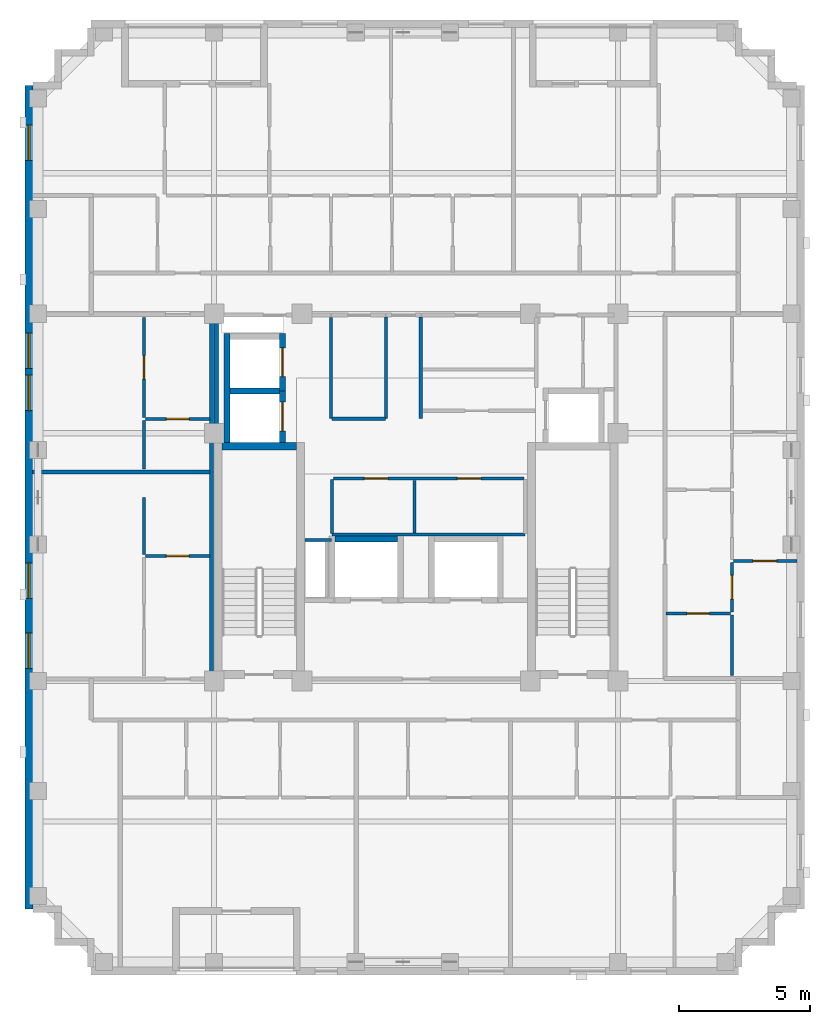
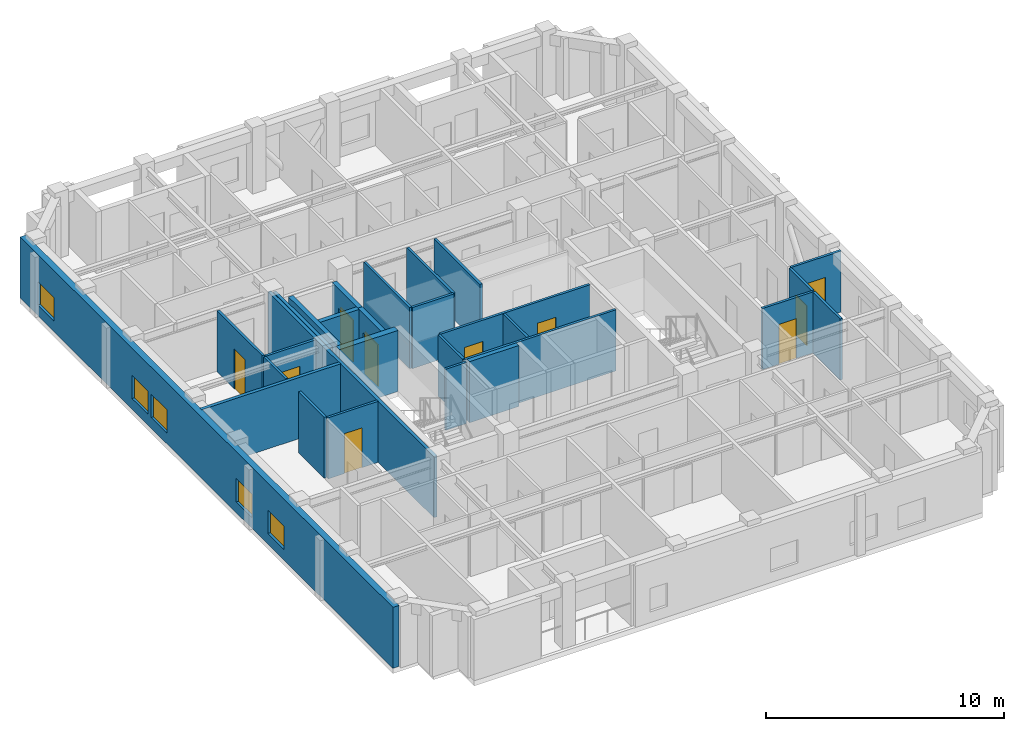
# One storey, part 4 of 11: 28 walls, 10 doors, 5 windows, 15 openings.
"""IFC4 building model written with IfcOpenShell, lengths in metres."""

from ifc_helpers import new_model, si_unit, derived_unit, direction, frame, frame_2d, origin, place, context, subcontext, project, spatial, rectangle, extrude, material, layer, layer_set, type_object, element, fill, save


model = new_model("IFC4")

# Units and contexts
model_context = context("Model", 3, precision=1e-05, world=origin(), true_north=direction((0.0, 1.0)))
body_context = subcontext(model_context, "Body", "Model", "MODEL_VIEW")
ifc_project = project(units=[si_unit("LENGTHUNIT", "METRE"), si_unit("AREAUNIT", "SQUARE_METRE"), si_unit("VOLUMEUNIT", "CUBIC_METRE"), si_unit("PLANEANGLEUNIT", "RADIAN"), si_unit("MASSUNIT", "GRAM", prefix="KILO"), derived_unit("THERMALTRANSMITTANCEUNIT", [(si_unit("MASSUNIT", "GRAM", prefix="KILO"), 1), (si_unit("TIMEUNIT", "SECOND"), -3), (si_unit("THERMODYNAMICTEMPERATUREUNIT", "KELVIN"), -1)])], contexts=[model_context])

# Site, building, storey
site_placement = place(None, origin())
site = spatial("IfcSite", under=ifc_project, at=site_placement, CompositionType="ELEMENT")
building_placement = place(site_placement, origin())
building = spatial("IfcBuilding", under=site, at=building_placement, Name="Korrvale Station Residences", CompositionType="ELEMENT")
storey_placement = place(building_placement, frame((0.0, 0.0, 251.300048828125)))
storey = spatial("IfcBuildingStorey", under=building, at=storey_placement, Name="L73", CompositionType="ELEMENT", Elevation=251.300048828125)

# Wall
ifc_material_1 = material(Name="Concrete C50/60", Category="concrete")
ifc_layer_1 = layer(ifc_material_1, 0.300048828125, Name="Concrete C50/60")
ifc_layer_set_1 = layer_set([ifc_layer_1], Name="Concrete C50/60")
wall_type_1 = type_object("IfcWallType", Name="WAL-CORE-300-C50", PredefinedType="SHEAR", material=ifc_layer_set_1)
wall_1_placement = place(storey_placement, frame((18.10009765625, 23.949951171875, 0.0), z_axis=(0.0, 0.0, 1.0), x_axis=(1.0, 0.0, 0.0)))
element("IfcWall", 1, at=wall_1_placement, inside=storey, type_object=wall_type_1, Name="L73 ST-1 Core Shear Wall North", PredefinedType="SHEAR", context=body_context, shape_type="SweptSolid", body=[
    extrude(rectangle(XDim=2.849853515625, YDim=0.300048828125, at=frame_2d((1.4248046875, 0.0))), origin(), (0.0, 0.0, 1.0), 3.139892578125),
])

# Wall, openings, windows
ifc_material_2 = material(Name="Precast concrete C45/55", Category="concrete")
ifc_layer_2 = layer(ifc_material_2, 0.300048828125, Name="Precast concrete C45/55")
ifc_layer_set_2 = layer_set([ifc_layer_2], Name="Precast concrete C45/55")
wall_type_2 = type_object("IfcWallType", Name="WAL-EXT-PC300", PredefinedType="SOLIDWALL", material=ifc_layer_set_2)
wall_2_placement = place(storey_placement, frame((10.75, 6.300048828125, 0.0), z_axis=(0.0, 0.0, 1.0), x_axis=(0.0, 1.0, 0.0)))
wall_2 = element("IfcWall", 2, at=wall_2_placement, inside=storey, type_object=wall_type_2, Name="L73 West Exterior Precast Wall 1", PredefinedType="SOLIDWALL", context=body_context, shape_type="SweptSolid", body=[
    extrude(rectangle(XDim=31.39990234375, YDim=0.300048828125, at=frame_2d((15.699951171875, 0.0))), origin(), (0.0, 0.0, 1.0), 3.139892578125),
])
opening_1_placement = place(wall_2_placement, frame((28.5458984375, 0.0, 0.550048828125)))
opening_1 = element("IfcOpeningElement", 3, at=opening_1_placement, cuts=wall_2, Name="Opening W-10", PredefinedType="OPENING", context=body_context, shape_type="SweptSolid", body=[
    extrude(rectangle(XDim=1.35009765625, YDim=1.199951171875, at=frame_2d((0.675048828125, 0.60009765625))), frame((0.0, 0.16015625, 0.0), z_axis=(0.0, -1.0, 0.0), x_axis=(1.0, 0.0, 0.0)), (0.0, 0.0, 1.0), 0.320068359375),
])
opening_2_placement = place(wall_2_placement, frame((11.85009765625, 0.0, 0.550048828125)))
opening_2 = element("IfcOpeningElement", 4, at=opening_2_placement, cuts=wall_2, Name="Opening W-10", PredefinedType="OPENING", context=body_context, shape_type="SweptSolid", body=[
    extrude(rectangle(XDim=1.35009765625, YDim=1.199951171875, at=frame_2d((0.675048828125, 0.60009765625))), frame((0.0, 0.16015625, 0.0), z_axis=(0.0, -1.0, 0.0), x_axis=(1.0, 0.0, 0.0)), (0.0, 0.0, 1.0), 0.320068359375),
])
opening_3_placement = place(wall_2_placement, frame((9.18505859375, 0.0, 0.550048828125)))
opening_3 = element("IfcOpeningElement", 5, at=opening_3_placement, cuts=wall_2, Name="Opening W-10", PredefinedType="OPENING", context=body_context, shape_type="SweptSolid", body=[
    extrude(rectangle(XDim=1.35009765625, YDim=1.199951171875, at=frame_2d((0.675048828125, 0.60009765625))), frame((0.0, 0.16015625, 0.0), z_axis=(0.0, -1.0, 0.0), x_axis=(1.0, 0.0, 0.0)), (0.0, 0.0, 1.0), 0.320068359375),
])
opening_4_placement = place(wall_2_placement, frame((19.006103515625, 0.0, 0.550048828125)))
opening_4 = element("IfcOpeningElement", 6, at=opening_4_placement, cuts=wall_2, Name="Opening W-10", PredefinedType="OPENING", context=body_context, shape_type="SweptSolid", body=[
    extrude(rectangle(XDim=1.35009765625, YDim=1.199951171875, at=frame_2d((0.675048828125, 0.60009765625))), frame((0.0, 0.16015625, 0.0), z_axis=(0.0, -1.0, 0.0), x_axis=(1.0, 0.0, 0.0)), (0.0, 0.0, 1.0), 0.320068359375),
])
opening_5_placement = place(wall_2_placement, frame((20.615966796875, 0.0, 0.550048828125)))
opening_5 = element("IfcOpeningElement", 7, at=opening_5_placement, cuts=wall_2, Name="Opening W-10", PredefinedType="OPENING", context=body_context, shape_type="SweptSolid", body=[
    extrude(rectangle(XDim=1.35009765625, YDim=1.199951171875, at=frame_2d((0.675048828125, 0.60009765625))), frame((0.0, 0.16015625, 0.0), z_axis=(0.0, -1.0, 0.0), x_axis=(1.0, 0.0, 0.0)), (0.0, 0.0, 1.0), 0.320068359375),
])
ifc_material_3 = material(Name="Thermally broken aluminium frame with triple low-e glazing", Category="aluminium")
window_type = type_object("IfcWindowType", Name="WIN-W10", PartitioningType="SINGLE_PANEL", PredefinedType="WINDOW", material=ifc_material_3)
window_1_placement = place(opening_1_placement, origin())
window_1 = element("IfcWindow", 8, at=window_1_placement, inside=storey, type_object=window_type, Name="L73 Punched Window 06", OverallHeight=1.199951171875, OverallWidth=1.35009765625, PartitioningType="SINGLE_PANEL", PredefinedType="WINDOW", context=body_context, shape_type="SweptSolid", body=[
    extrude(rectangle(XDim=1.35009765625, YDim=1.199951171875, at=frame_2d((0.675048828125, 0.60009765625))), frame((0.0, 0.030029296875, 0.0), z_axis=(0.0, -1.0, 0.0), x_axis=(1.0, 0.0, 0.0)), (0.0, 0.0, 1.0), 0.06005859375),
])
fill(opening_1, window_1)
window_2_placement = place(opening_2_placement, origin())
window_2 = element("IfcWindow", 9, at=window_2_placement, inside=storey, type_object=window_type, Name="L73 Punched Window 12", OverallHeight=1.199951171875, OverallWidth=1.35009765625, PartitioningType="SINGLE_PANEL", PredefinedType="WINDOW", context=body_context, shape_type="SweptSolid", body=[
    extrude(rectangle(XDim=1.35009765625, YDim=1.199951171875, at=frame_2d((0.675048828125, 0.60009765625))), frame((0.0, 0.030029296875, 0.0), z_axis=(0.0, -1.0, 0.0), x_axis=(1.0, 0.0, 0.0)), (0.0, 0.0, 1.0), 0.06005859375),
])
fill(opening_2, window_2)
window_3_placement = place(opening_3_placement, origin())
window_3 = element("IfcWindow", 10, at=window_3_placement, inside=storey, type_object=window_type, Name="L73 Punched Window 13", OverallHeight=1.199951171875, OverallWidth=1.35009765625, PartitioningType="SINGLE_PANEL", PredefinedType="WINDOW", context=body_context, shape_type="SweptSolid", body=[
    extrude(rectangle(XDim=1.35009765625, YDim=1.199951171875, at=frame_2d((0.675048828125, 0.60009765625))), frame((0.0, 0.030029296875, 0.0), z_axis=(0.0, -1.0, 0.0), x_axis=(1.0, 0.0, 0.0)), (0.0, 0.0, 1.0), 0.06005859375),
])
fill(opening_3, window_3)
window_4_placement = place(opening_4_placement, origin())
window_4 = element("IfcWindow", 11, at=window_4_placement, inside=storey, type_object=window_type, Name="L73 Punched Window 14", OverallHeight=1.199951171875, OverallWidth=1.35009765625, PartitioningType="SINGLE_PANEL", PredefinedType="WINDOW", context=body_context, shape_type="SweptSolid", body=[
    extrude(rectangle(XDim=1.35009765625, YDim=1.199951171875, at=frame_2d((0.675048828125, 0.60009765625))), frame((0.0, 0.030029296875, 0.0), z_axis=(0.0, -1.0, 0.0), x_axis=(1.0, 0.0, 0.0)), (0.0, 0.0, 1.0), 0.06005859375),
])
fill(opening_4, window_4)
window_5_placement = place(opening_5_placement, origin())
window_5 = element("IfcWindow", 12, at=window_5_placement, inside=storey, type_object=window_type, Name="L73 Punched Window 15", OverallHeight=1.199951171875, OverallWidth=1.35009765625, PartitioningType="SINGLE_PANEL", PredefinedType="WINDOW", context=body_context, shape_type="SweptSolid", body=[
    extrude(rectangle(XDim=1.35009765625, YDim=1.199951171875, at=frame_2d((0.675048828125, 0.60009765625))), frame((0.0, 0.030029296875, 0.0), z_axis=(0.0, -1.0, 0.0), x_axis=(1.0, 0.0, 0.0)), (0.0, 0.0, 1.0), 0.06005859375),
])
fill(opening_5, window_5)

# Walls
ifc_material_4 = material(Name="Acoustic steel-stud gypsum board partition", Category="steel")
ifc_layer_3 = layer(ifc_material_4, 0.1201171875, Name="Acoustic steel-stud gypsum board partition")
ifc_layer_set_3 = layer_set([ifc_layer_3], Name="Acoustic steel-stud gypsum board partition")
wall_type_3 = type_object("IfcWallType", Name="WAL-PART-125", PredefinedType="PARTITIONING", material=ifc_layer_set_3)
wall_3_placement = place(storey_placement, frame((22.280029296875, 20.3798828125, 0.0), z_axis=(0.0, 0.0, 1.0), x_axis=(-1.0, 0.0, 0.0)))
element("IfcWall", 13, at=wall_3_placement, inside=storey, type_object=wall_type_3, Name="L73 Core Partition CW-RSWT-N", PredefinedType="PARTITIONING", context=body_context, shape_type="SweptSolid", body=[
    extrude(rectangle(XDim=1.02001953125, YDim=0.1201171875, at=frame_2d((0.510009765625, 0.0))), origin(), (0.0, 0.0, 1.0), 3.139892578125),
])
for number, where, z_axis, x_axis, name in (
    (14, (24.360107421875, 25.0, 0.0), (0.0, 0.0, 1.0), (0.0, 1.0, 0.0), "L73 Core Partition CW-PSG-W"),
    (15, (25.679931640625, 25.0, 0.0), (0.0, 0.0, 1.0), (0.0, 1.0, 0.0), "L73 Core Partition CW-PSG-E"),
):
    element("IfcWall", number, at=place(storey_placement, frame(where, z_axis=z_axis, x_axis=x_axis)), inside=storey, type_object=wall_type_3, Name=name, PredefinedType="PARTITIONING", context=body_context, shape_type="SweptSolid", body=[
        extrude(rectangle(XDim=3.8701171875, YDim=0.1201171875, at=frame_2d((1.93505859375, 0.0))), origin(), (0.0, 0.0, 1.0), 3.139892578125),
    ])
wall_4_placement = place(storey_placement, frame((22.260009765625, 25.0, 0.0), z_axis=(0.0, 0.0, 1.0), x_axis=(0.0, 1.0, 0.0)))
element("IfcWall", 16, at=wall_4_placement, inside=storey, type_object=wall_type_3, Name="L73 Core Partition CW-FPLW-W", PredefinedType="PARTITIONING", context=body_context, shape_type="SweptSolid", body=[
    extrude(rectangle(XDim=3.860107421875, YDim=0.1201171875, at=frame_2d((1.93017578125, 0.0))), origin(), (0.0, 0.0, 1.0), 3.139892578125),
])
wall_5_placement = place(storey_placement, frame((22.300048828125, 25.0, 0.0), z_axis=(0.0, 0.0, 1.0), x_axis=(1.0, 0.0, 0.0)))
element("IfcWall", 17, at=wall_5_placement, inside=storey, type_object=wall_type_3, Name="L73 Core Partition CW-FPLW-S", PredefinedType="PARTITIONING", context=body_context, shape_type="SweptSolid", body=[
    extrude(rectangle(XDim=2.0400390625, YDim=0.1201171875, at=frame_2d((1.02001953125, 0.0))), origin(), (0.0, 0.0, 1.0), 3.139892578125),
])
wall_6_placement = place(storey_placement, frame((22.300048828125, 20.580078125, 0.0), z_axis=(0.0, 0.0, 1.0), x_axis=(1.0, 0.0, 0.0)))
element("IfcWall", 18, at=wall_6_placement, inside=storey, type_object=wall_type_3, Name="L73 Core Partition CW-FPM-S", PredefinedType="PARTITIONING", context=body_context, shape_type="SweptSolid", body=[
    extrude(rectangle(XDim=7.349853515625, YDim=0.1201171875, at=frame_2d((3.6748046875, 0.0))), origin(), (0.0, 0.0, 1.0), 3.139892578125),
])
wall_7_placement = place(storey_placement, frame((22.300048828125, 20.6201171875, 0.0), z_axis=(0.0, 0.0, 1.0), x_axis=(0.0, 1.0, 0.0)))
element("IfcWall", 19, at=wall_7_placement, inside=storey, type_object=wall_type_3, Name="L73 Core Partition CW-FPM-W", PredefinedType="PARTITIONING", context=body_context, shape_type="SweptSolid", body=[
    extrude(rectangle(XDim=2.059814453125, YDim=0.1201171875, at=frame_2d((1.02978515625, 0.0))), origin(), (0.0, 0.0, 1.0), 3.139892578125),
])
wall_8_placement = place(storey_placement, frame((25.43994140625, 20.64990234375, 0.0), z_axis=(0.0, 0.0, 1.0), x_axis=(0.0, 1.0, 0.0)))
element("IfcWall", 20, at=wall_8_placement, inside=storey, type_object=wall_type_3, Name="L73 Core Partition CW-FPM-M", PredefinedType="PARTITIONING", context=body_context, shape_type="SweptSolid", body=[
    extrude(rectangle(XDim=2.0, YDim=0.1201171875, at=frame_2d((1.0, 0.0))), origin(), (0.0, 0.0, 1.0), 3.139892578125),
])

# Wall, openings, doors
wall_9_placement = place(storey_placement, frame((22.35009765625, 22.719970703125, 0.0), z_axis=(0.0, 0.0, 1.0), x_axis=(1.0, 0.0, 0.0)))
wall_9 = element("IfcWall", 21, at=wall_9_placement, inside=storey, type_object=wall_type_3, Name="L73 Core Partition CW-FPM-N", PredefinedType="PARTITIONING", context=body_context, shape_type="SweptSolid", body=[
    extrude(rectangle(XDim=7.27001953125, YDim=0.1201171875, at=frame_2d((3.635009765625, 0.0))), origin(), (0.0, 0.0, 1.0), 3.139892578125),
])
opening_6_placement = place(wall_9_placement, frame((1.175048828125, 0.0, 0.0)))
opening_6 = element("IfcOpeningElement", 22, at=opening_6_placement, cuts=wall_9, Name="Opening DI-900", PredefinedType="OPENING", context=body_context, shape_type="SweptSolid", body=[
    extrude(rectangle(XDim=0.89990234375, YDim=2.050048828125, at=frame_2d((0.449951171875, 1.02490234375))), frame((0.0, 0.070068359375, 0.0), z_axis=(0.0, -1.0, 0.0), x_axis=(1.0, 0.0, 0.0)), (0.0, 0.0, 1.0), 0.14013671875),
])
opening_7_placement = place(wall_9_placement, frame((4.72509765625, 0.0, 0.0)))
opening_7 = element("IfcOpeningElement", 23, at=opening_7_placement, cuts=wall_9, Name="Opening DI-900", PredefinedType="OPENING", context=body_context, shape_type="SweptSolid", body=[
    extrude(rectangle(XDim=0.89990234375, YDim=2.050048828125, at=frame_2d((0.449951171875, 1.02490234375))), frame((0.0, 0.070068359375, 0.0), z_axis=(0.0, -1.0, 0.0), x_axis=(1.0, 0.0, 0.0)), (0.0, 0.0, 1.0), 0.14013671875),
])
ifc_material_5 = material(Name="Painted solid-core timber interior room door", Category="wood")
door_type_1 = type_object("IfcDoorType", Name="DR-INT-900", OperationType="NOTDEFINED", PredefinedType="DOOR", material=ifc_material_5)
door_1_placement = place(opening_6_placement, origin())
door_1 = element("IfcDoor", 24, at=door_1_placement, inside=storey, type_object=door_type_1, Name="L73 Sky Pantry Door", OperationType="SINGLE_SWING_LEFT", OverallHeight=2.050048828125, OverallWidth=0.89990234375, PredefinedType="DOOR", context=body_context, shape_type="SweptSolid", body=[
    extrude(rectangle(XDim=0.89990234375, YDim=2.050048828125, at=frame_2d((0.449951171875, 1.02490234375))), frame((0.0, 0.02490234375, 0.0), z_axis=(0.0, -1.0, 0.0), x_axis=(1.0, 0.0, 0.0)), (0.0, 0.0, 1.0), 0.050048828125),
])
fill(opening_6, door_1)
door_2_placement = place(opening_7_placement, origin())
door_2 = element("IfcDoor", 25, at=door_2_placement, inside=storey, type_object=door_type_1, Name="L73 Concierge Supply Door", OperationType="SINGLE_SWING_RIGHT", OverallHeight=2.050048828125, OverallWidth=0.89990234375, PredefinedType="DOOR", context=body_context, shape_type="SweptSolid", body=[
    extrude(rectangle(XDim=0.89990234375, YDim=2.050048828125, at=frame_2d((0.449951171875, 1.02490234375))), frame((0.0, 0.02490234375, 0.0), z_axis=(0.0, -1.0, 0.0), x_axis=(1.0, 0.0, 0.0)), (0.0, 0.0, 1.0), 0.050048828125),
])
fill(opening_7, door_2)

# Wall, opening, door
wall_10_placement = place(storey_placement, frame((15.18994140625, 19.77001953125, 0.0), z_axis=(0.0, 0.0, 1.0), x_axis=(1.0, 0.0, 0.0)))
wall_10 = element("IfcWall", 26, at=wall_10_placement, inside=storey, type_object=wall_type_3, Name="L73 Suite Partition U06-H01", PredefinedType="PARTITIONING", context=body_context, shape_type="SweptSolid", body=[
    extrude(rectangle(XDim=2.449951171875, YDim=0.1201171875, at=frame_2d((1.22509765625, 0.0))), origin(), (0.0, 0.0, 1.0), 3.139892578125),
])
opening_8_placement = place(wall_10_placement, frame((0.794921875, 0.0, 0.0)))
opening_8 = element("IfcOpeningElement", 27, at=opening_8_placement, cuts=wall_10, Name="Opening DB-860", PredefinedType="OPENING", context=body_context, shape_type="SweptSolid", body=[
    extrude(rectangle(XDim=0.860107421875, YDim=2.050048828125, at=frame_2d((0.43017578125, 1.02490234375))), frame((0.0, 0.070068359375, 0.0), z_axis=(0.0, -1.0, 0.0), x_axis=(1.0, 0.0, 0.0)), (0.0, 0.0, 1.0), 0.14013671875),
])
ifc_material_6 = material(Name="Moisture-resistant solid-core bathroom door", Category="timber")
door_type_2 = type_object("IfcDoorType", Name="DR-BATH-860", OperationType="NOTDEFINED", PredefinedType="DOOR", material=ifc_material_6)
door_3_placement = place(opening_8_placement, origin())
door_3 = element("IfcDoor", 28, at=door_3_placement, inside=storey, type_object=door_type_2, Name="L73 Studio Apartment L73-U06 Bathroom Door", OperationType="SINGLE_SWING_LEFT", OverallHeight=2.050048828125, OverallWidth=0.860107421875, PredefinedType="DOOR", context=body_context, shape_type="SweptSolid", body=[
    extrude(rectangle(XDim=0.860107421875, YDim=2.050048828125, at=frame_2d((0.43017578125, 1.02490234375))), frame((0.0, 0.02490234375, 0.0), z_axis=(0.0, -1.0, 0.0), x_axis=(1.0, 0.0, 0.0)), (0.0, 0.0, 1.0), 0.050048828125),
])
fill(opening_8, door_3)

# Wall
wall_11_placement = place(storey_placement, frame((15.1298828125, 19.830078125, 0.0), z_axis=(0.0, 0.0, 1.0), x_axis=(0.0, 1.0, 0.0)))
element("IfcWall", 29, at=wall_11_placement, inside=storey, type_object=wall_type_3, Name="L73 Suite Partition U06-V02", PredefinedType="PARTITIONING", context=body_context, shape_type="SweptSolid", body=[
    extrude(rectangle(XDim=2.158935546875, YDim=0.1201171875, at=frame_2d((1.07958984375, 0.0))), origin(), (0.0, 0.0, 1.0), 3.139892578125),
])

# Wall, opening, door
wall_12_placement = place(storey_placement, frame((15.18994140625, 24.991943359375, 0.0), z_axis=(0.0, 0.0, 1.0), x_axis=(1.0, 0.0, 0.0)))
wall_12 = element("IfcWall", 30, at=wall_12_placement, inside=storey, type_object=wall_type_3, Name="L73 Suite Partition U07-H01", PredefinedType="PARTITIONING", context=body_context, shape_type="SweptSolid", body=[
    extrude(rectangle(XDim=2.449951171875, YDim=0.1201171875, at=frame_2d((1.22509765625, 0.0))), origin(), (0.0, 0.0, 1.0), 3.139892578125),
])
opening_9_placement = place(wall_12_placement, frame((0.794921875, 0.0, 0.0)))
opening_9 = element("IfcOpeningElement", 31, at=opening_9_placement, cuts=wall_12, Name="Opening DB-860", PredefinedType="OPENING", context=body_context, shape_type="SweptSolid", body=[
    extrude(rectangle(XDim=0.860107421875, YDim=2.050048828125, at=frame_2d((0.43017578125, 1.02490234375))), frame((0.0, 0.070068359375, 0.0), z_axis=(0.0, -1.0, 0.0), x_axis=(1.0, 0.0, 0.0)), (0.0, 0.0, 1.0), 0.14013671875),
])
door_4_placement = place(opening_9_placement, origin())
door_4 = element("IfcDoor", 32, at=door_4_placement, inside=storey, type_object=door_type_2, Name="L73 Studio Apartment L73-U07 Bathroom Door", OperationType="SINGLE_SWING_RIGHT", OverallHeight=2.050048828125, OverallWidth=0.860107421875, PredefinedType="DOOR", context=body_context, shape_type="SweptSolid", body=[
    extrude(rectangle(XDim=0.860107421875, YDim=2.050048828125, at=frame_2d((0.43017578125, 1.02490234375))), frame((0.0, 0.02490234375, 0.0), z_axis=(0.0, -1.0, 0.0), x_axis=(1.0, 0.0, 0.0)), (0.0, 0.0, 1.0), 0.050048828125),
])
fill(opening_9, door_4)

# Wall
wall_13_placement = place(storey_placement, frame((15.1298828125, 23.08203125, 0.0), z_axis=(0.0, 0.0, 1.0), x_axis=(0.0, 1.0, 0.0)))
element("IfcWall", 33, at=wall_13_placement, inside=storey, type_object=wall_type_3, Name="L73 Suite Partition U07-V02", PredefinedType="PARTITIONING", context=body_context, shape_type="SweptSolid", body=[
    extrude(rectangle(XDim=1.849853515625, YDim=0.1201171875, at=frame_2d((0.9248046875, 0.0))), origin(), (0.0, 0.0, 1.0), 3.139892578125),
])

# Wall, opening, door
wall_14_placement = place(storey_placement, frame((15.1298828125, 25.052001953125, 0.0), z_axis=(0.0, 0.0, 1.0), x_axis=(0.0, 1.0, 0.0)))
wall_14 = element("IfcWall", 34, at=wall_14_placement, inside=storey, type_object=wall_type_3, Name="L73 Suite Partition U07-V12", PredefinedType="PARTITIONING", context=body_context, shape_type="SweptSolid", body=[
    extrude(rectangle(XDim=3.80810546875, YDim=0.1201171875, at=frame_2d((1.904052734375, 0.0))), origin(), (0.0, 0.0, 1.0), 3.139892578125),
])
opening_10_placement = place(wall_14_placement, frame((1.4541015625, 0.0, 0.0)))
opening_10 = element("IfcOpeningElement", 35, at=opening_10_placement, cuts=wall_14, Name="Opening DI-900", PredefinedType="OPENING", context=body_context, shape_type="SweptSolid", body=[
    extrude(rectangle(XDim=0.89990234375, YDim=2.050048828125, at=frame_2d((0.449951171875, 1.02490234375))), frame((0.0, 0.070068359375, 0.0), z_axis=(0.0, -1.0, 0.0), x_axis=(1.0, 0.0, 0.0)), (0.0, 0.0, 1.0), 0.14013671875),
])
door_5_placement = place(opening_10_placement, origin())
door_5 = element("IfcDoor", 36, at=door_5_placement, inside=storey, type_object=door_type_1, Name="L73 Studio Apartment L73-U07 Kitchen Door", OperationType="SINGLE_SWING_LEFT", OverallHeight=2.050048828125, OverallWidth=0.89990234375, PredefinedType="DOOR", context=body_context, shape_type="SweptSolid", body=[
    extrude(rectangle(XDim=0.89990234375, YDim=2.050048828125, at=frame_2d((0.449951171875, 1.02490234375))), frame((0.0, 0.02490234375, 0.0), z_axis=(0.0, -1.0, 0.0), x_axis=(1.0, 0.0, 0.0)), (0.0, 0.0, 1.0), 0.050048828125),
])
fill(opening_10, door_5)

wall_15_placement = place(storey_placement, frame((35.030029296875, 17.570068359375, 0.0), z_axis=(0.0, 0.0, 1.0), x_axis=(1.0, 0.0, 0.0)))
wall_15 = element("IfcWall", 37, at=wall_15_placement, inside=storey, type_object=wall_type_3, Name="L73 Suite Partition U08-H12", PredefinedType="PARTITIONING", context=body_context, shape_type="SweptSolid", body=[
    extrude(rectangle(XDim=2.449951171875, YDim=0.1201171875, at=frame_2d((1.22509765625, 0.0))), origin(), (0.0, 0.0, 1.0), 3.139892578125),
])
opening_11_placement = place(wall_15_placement, frame((0.794921875, 0.0, 0.0)))
opening_11 = element("IfcOpeningElement", 38, at=opening_11_placement, cuts=wall_15, Name="Opening DB-860", PredefinedType="OPENING", context=body_context, shape_type="SweptSolid", body=[
    extrude(rectangle(XDim=0.860107421875, YDim=2.050048828125, at=frame_2d((0.43017578125, 1.02490234375))), frame((0.0, 0.070068359375, 0.0), z_axis=(0.0, -1.0, 0.0), x_axis=(1.0, 0.0, 0.0)), (0.0, 0.0, 1.0), 0.14013671875),
])
door_6_placement = place(opening_11_placement, origin())
door_6 = element("IfcDoor", 39, at=door_6_placement, inside=storey, type_object=door_type_2, Name="L73 Apartment 2BR L73-U08 Bathroom Door", OperationType="SINGLE_SWING_LEFT", OverallHeight=2.050048828125, OverallWidth=0.860107421875, PredefinedType="DOOR", context=body_context, shape_type="SweptSolid", body=[
    extrude(rectangle(XDim=0.860107421875, YDim=2.050048828125, at=frame_2d((0.43017578125, 1.02490234375))), frame((0.0, 0.02490234375, 0.0), z_axis=(0.0, -1.0, 0.0), x_axis=(1.0, 0.0, 0.0)), (0.0, 0.0, 1.0), 0.050048828125),
])
fill(opening_11, door_6)

# Wall
wall_16_placement = place(storey_placement, frame((37.5400390625, 15.2099609375, 0.0), z_axis=(0.0, 0.0, 1.0), x_axis=(0.0, 1.0, 0.0)))
element("IfcWall", 40, at=wall_16_placement, inside=storey, type_object=wall_type_3, Name="L73 Suite Partition U08-V13", PredefinedType="PARTITIONING", context=body_context, shape_type="SweptSolid", body=[
    extrude(rectangle(XDim=2.300048828125, YDim=0.1201171875, at=frame_2d((1.14990234375, 0.0))), origin(), (0.0, 0.0, 1.0), 3.139892578125),
])

# Wall, opening, door
wall_17_placement = place(storey_placement, frame((37.5400390625, 17.6298828125, 0.0), z_axis=(0.0, 0.0, 1.0), x_axis=(0.0, 1.0, 0.0)))
wall_17 = element("IfcWall", 41, at=wall_17_placement, inside=storey, type_object=wall_type_3, Name="L73 Suite Partition U08-V23", PredefinedType="PARTITIONING", context=body_context, shape_type="SweptSolid", body=[
    extrude(rectangle(XDim=1.88818359375, YDim=0.1201171875, at=frame_2d((0.944091796875, 0.0))), origin(), (0.0, 0.0, 1.0), 3.139892578125),
])
opening_12_placement = place(wall_17_placement, frame((0.493896484375, 0.0, 0.0)))
opening_12 = element("IfcOpeningElement", 42, at=opening_12_placement, cuts=wall_17, Name="Opening DI-900", PredefinedType="OPENING", context=body_context, shape_type="SweptSolid", body=[
    extrude(rectangle(XDim=0.89990234375, YDim=2.050048828125, at=frame_2d((0.449951171875, 1.02490234375))), frame((0.0, 0.070068359375, 0.0), z_axis=(0.0, -1.0, 0.0), x_axis=(1.0, 0.0, 0.0)), (0.0, 0.0, 1.0), 0.14013671875),
])
door_7_placement = place(opening_12_placement, origin())
door_7 = element("IfcDoor", 43, at=door_7_placement, inside=storey, type_object=door_type_1, Name="L73 Apartment 2BR L73-U08 Kitchen Door", OperationType="SINGLE_SWING_RIGHT", OverallHeight=2.050048828125, OverallWidth=0.89990234375, PredefinedType="DOOR", context=body_context, shape_type="SweptSolid", body=[
    extrude(rectangle(XDim=0.89990234375, YDim=2.050048828125, at=frame_2d((0.449951171875, 1.02490234375))), frame((0.0, 0.02490234375, 0.0), z_axis=(0.0, -1.0, 0.0), x_axis=(1.0, 0.0, 0.0)), (0.0, 0.0, 1.0), 0.050048828125),
])
fill(opening_12, door_7)

wall_18_placement = place(storey_placement, frame((37.60009765625, 19.577880859375, 0.0), z_axis=(0.0, 0.0, 1.0), x_axis=(1.0, 0.0, 0.0)))
wall_18 = element("IfcWall", 44, at=wall_18_placement, inside=storey, type_object=wall_type_3, Name="L73 Suite Partition U08-H34", PredefinedType="PARTITIONING", context=body_context, shape_type="SweptSolid", body=[
    extrude(rectangle(XDim=2.419921875, YDim=0.1201171875, at=frame_2d((1.2099609375, 0.0))), origin(), (0.0, 0.0, 1.0), 3.139892578125),
])
opening_13_placement = place(wall_18_placement, frame((0.7451171875, 0.0, 0.0)))
opening_13 = element("IfcOpeningElement", 45, at=opening_13_placement, cuts=wall_18, Name="Opening DI-900", PredefinedType="OPENING", context=body_context, shape_type="SweptSolid", body=[
    extrude(rectangle(XDim=0.89990234375, YDim=2.050048828125, at=frame_2d((0.449951171875, 1.02490234375))), frame((0.0, 0.070068359375, 0.0), z_axis=(0.0, -1.0, 0.0), x_axis=(1.0, 0.0, 0.0)), (0.0, 0.0, 1.0), 0.14013671875),
])
door_8_placement = place(opening_13_placement, origin())
door_8 = element("IfcDoor", 46, at=door_8_placement, inside=storey, type_object=door_type_1, Name="L73 Apartment 2BR L73-U08 Bedroom 1 Door", OperationType="SINGLE_SWING_RIGHT", OverallHeight=2.050048828125, OverallWidth=0.89990234375, PredefinedType="DOOR", context=body_context, shape_type="SweptSolid", body=[
    extrude(rectangle(XDim=0.89990234375, YDim=2.050048828125, at=frame_2d((0.449951171875, 1.02490234375))), frame((0.0, 0.02490234375, 0.0), z_axis=(0.0, -1.0, 0.0), x_axis=(1.0, 0.0, 0.0)), (0.0, 0.0, 1.0), 0.050048828125),
])
fill(opening_13, door_8)

# Walls
ifc_material_7 = material(Name="Fire-rated twin-stud gypsum and mineral wool shaftwall assembly", Category="gypsum")
ifc_layer_4 = layer(ifc_material_7, 0.159912109375, Name="Fire-rated twin-stud gypsum and mineral wool shaftwall assembly")
ifc_layer_set_4 = layer_set([ifc_layer_4], Name="Fire-rated twin-stud gypsum and mineral wool shaftwall assembly")
wall_type_4 = type_object("IfcWallType", Name="WAL-PART-200", PredefinedType="PARTITIONING", material=ifc_layer_set_4)
wall_19_placement = place(storey_placement, frame((17.8798828125, 24.1201171875, 0.0), z_axis=(0.0, 0.0, 1.0), x_axis=(0.0, 1.0, 0.0)))
element("IfcWall", 47, at=wall_19_placement, inside=storey, type_object=wall_type_4, Name="L73 Core Partition CW-W-N", PredefinedType="PARTITIONING", context=body_context, shape_type="SweptSolid", body=[
    extrude(rectangle(XDim=4.759765625, YDim=0.159912109375, at=frame_2d((2.3798828125, 0.0))), origin(), (0.0, 0.0, 1.0), 3.139892578125),
])
wall_20_placement = place(storey_placement, frame((10.8798828125, 22.9619140625, 0.0), z_axis=(0.0, 0.0, 1.0), x_axis=(1.0, 0.0, 0.0)))
element("IfcWall", 48, at=wall_20_placement, inside=storey, type_object=wall_type_4, Name="L73 Demising Wall U06-N", PredefinedType="PARTITIONING", context=body_context, shape_type="SweptSolid", body=[
    extrude(rectangle(XDim=6.760009765625, YDim=0.159912109375, at=frame_2d((3.3798828125, 0.0))), origin(), (0.0, 0.0, 1.0), 3.139892578125),
])
wall_21_placement = place(storey_placement, frame((17.699951171875, 15.02001953125, 0.0), z_axis=(0.0, 0.0, 1.0), x_axis=(0.0, 1.0, 0.0)))
element("IfcWall", 49, at=wall_21_placement, inside=storey, type_object=wall_type_4, Name="L73 Rated Corridor Wall W", PredefinedType="PARTITIONING", context=body_context, shape_type="SweptSolid", body=[
    extrude(rectangle(XDim=13.97998046875, YDim=0.159912109375, at=frame_2d((6.989990234375, 0.0))), origin(), (0.0, 0.0, 1.0), 3.139892578125),
])
ifc_layer_5 = layer(ifc_material_1, 0.219970703125, Name="Concrete C50/60")
ifc_layer_set_5 = layer_set([ifc_layer_5], Name="Concrete C50/60")
wall_type_5 = type_object("IfcWallType", Name="WAL-SHAFT-220-C50", PredefinedType="SHEAR", material=ifc_layer_set_5)
wall_22_placement = place(storey_placement, frame((18.2900390625, 24.10009765625, 0.0), z_axis=(0.0, 0.0, 1.0), x_axis=(0.0, 1.0, 0.0)))
element("IfcWall", 50, at=wall_22_placement, inside=storey, type_object=wall_type_5, Name="L73 Elevator PH-1 Hoistway Wall West", PredefinedType="SHEAR", context=body_context, shape_type="SweptSolid", body=[
    extrude(rectangle(XDim=4.139892578125, YDim=0.219970703125, at=frame_2d((2.06982421875, 0.0))), origin(), (0.0, 0.0, 1.0), 3.139892578125),
])

# Wall, opening, door
wall_23_placement = place(storey_placement, frame((20.409912109375, 24.10009765625, 0.0), z_axis=(0.0, 0.0, 1.0), x_axis=(0.0, 1.0, 0.0)))
wall_23 = element("IfcWall", 51, at=wall_23_placement, inside=storey, type_object=wall_type_5, Name="L73 Elevator PH-1 Hoistway Wall East", PredefinedType="SHEAR", context=body_context, shape_type="SweptSolid", body=[
    extrude(rectangle(XDim=1.9599609375, YDim=0.219970703125, at=frame_2d((0.97998046875, 0.0))), origin(), (0.0, 0.0, 1.0), 3.139892578125),
])
opening_14_placement = place(wall_23_placement, frame((0.429931640625, 0.0, 0.0)))
opening_14 = element("IfcOpeningElement", 52, at=opening_14_placement, cuts=wall_23, Name="Opening LD-1100", PredefinedType="OPENING", context=body_context, shape_type="SweptSolid", body=[
    extrude(rectangle(XDim=1.10009765625, YDim=2.14990234375, at=frame_2d((0.550048828125, 1.074951171875))), frame((0.0, 0.1201171875, 0.0), z_axis=(0.0, -1.0, 0.0), x_axis=(1.0, 0.0, 0.0)), (0.0, 0.0, 1.0), 0.239990234375),
])
ifc_material_8 = material(Name="Brushed stainless-steel elevator landing sliding door", Category="steel")
door_type_3 = type_object("IfcDoorType", Name="DR-LIFT-1100", OperationType="SLIDING_TO_LEFT", PredefinedType="DOOR", material=ifc_material_8)
door_9_placement = place(opening_14_placement, origin())
door_9 = element("IfcDoor", 53, at=door_9_placement, inside=storey, type_object=door_type_3, Name="L73 Elevator PH-1 Sliding Landing Door", OperationType="SLIDING_TO_LEFT", OverallHeight=2.14990234375, OverallWidth=1.10009765625, PredefinedType="DOOR", context=body_context, shape_type="SweptSolid", body=[
    extrude(rectangle(XDim=1.10009765625, YDim=2.14990234375, at=frame_2d((0.550048828125, 1.074951171875))), frame((0.0, 0.02490234375, 0.0), z_axis=(0.0, -1.0, 0.0), x_axis=(1.0, 0.0, 0.0)), (0.0, 0.0, 1.0), 0.050048828125),
])
fill(opening_14, door_9)

# Wall
wall_24_placement = place(storey_placement, frame((18.39990234375, 26.06005859375, 0.0), z_axis=(0.0, 0.0, 1.0), x_axis=(1.0, 0.0, 0.0)))
element("IfcWall", 54, at=wall_24_placement, inside=storey, type_object=wall_type_5, Name="L73 Elevator PH-2 Hoistway Wall South", PredefinedType="SHEAR", context=body_context, shape_type="SweptSolid", body=[
    extrude(rectangle(XDim=1.900146484375, YDim=0.219970703125, at=frame_2d((0.9501953125, 0.0))), origin(), (0.0, 0.0, 1.0), 3.139892578125),
])

# Wall, opening, door
wall_25_placement = place(storey_placement, frame((20.409912109375, 26.06005859375, 0.0), z_axis=(0.0, 0.0, 1.0), x_axis=(0.0, 1.0, 0.0)))
wall_25 = element("IfcWall", 55, at=wall_25_placement, inside=storey, type_object=wall_type_5, Name="L73 Elevator PH-2 Hoistway Wall East", PredefinedType="SHEAR", context=body_context, shape_type="SweptSolid", body=[
    extrude(rectangle(XDim=2.179931640625, YDim=0.219970703125, at=frame_2d((1.08984375, 0.0))), origin(), (0.0, 0.0, 1.0), 3.139892578125),
])
opening_15_placement = place(wall_25_placement, frame((0.5400390625, 0.0, 0.0)))
opening_15 = element("IfcOpeningElement", 56, at=opening_15_placement, cuts=wall_25, Name="Opening LD-1100", PredefinedType="OPENING", context=body_context, shape_type="SweptSolid", body=[
    extrude(rectangle(XDim=1.10009765625, YDim=2.14990234375, at=frame_2d((0.550048828125, 1.074951171875))), frame((0.0, 0.1201171875, 0.0), z_axis=(0.0, -1.0, 0.0), x_axis=(1.0, 0.0, 0.0)), (0.0, 0.0, 1.0), 0.239990234375),
])
door_10_placement = place(opening_15_placement, origin())
door_10 = element("IfcDoor", 57, at=door_10_placement, inside=storey, type_object=door_type_3, Name="L73 Elevator PH-2 Sliding Landing Door", OperationType="SLIDING_TO_LEFT", OverallHeight=2.14990234375, OverallWidth=1.10009765625, PredefinedType="DOOR", context=body_context, shape_type="SweptSolid", body=[
    extrude(rectangle(XDim=1.10009765625, YDim=2.14990234375, at=frame_2d((0.550048828125, 1.074951171875))), frame((0.0, 0.02490234375, 0.0), z_axis=(0.0, -1.0, 0.0), x_axis=(1.0, 0.0, 0.0)), (0.0, 0.0, 1.0), 0.050048828125),
])
fill(opening_15, door_10)

# Wall
wall_26_placement = place(storey_placement, frame((22.39990234375, 20.409912109375, 0.0), z_axis=(0.0, 0.0, 1.0), x_axis=(1.0, 0.0, 0.0)))
element("IfcWall", 58, at=wall_26_placement, inside=storey, type_object=wall_type_5, Name="L73 Elevator FFL-1 Hoistway Wall North", PredefinedType="SHEAR", context=body_context, shape_type="SweptSolid", body=[
    extrude(rectangle(XDim=2.400146484375, YDim=0.219970703125, at=frame_2d((1.2001953125, 0.0))), origin(), (0.0, 0.0, 1.0), 3.139892578125),
])

save(model, "model.ifc")
